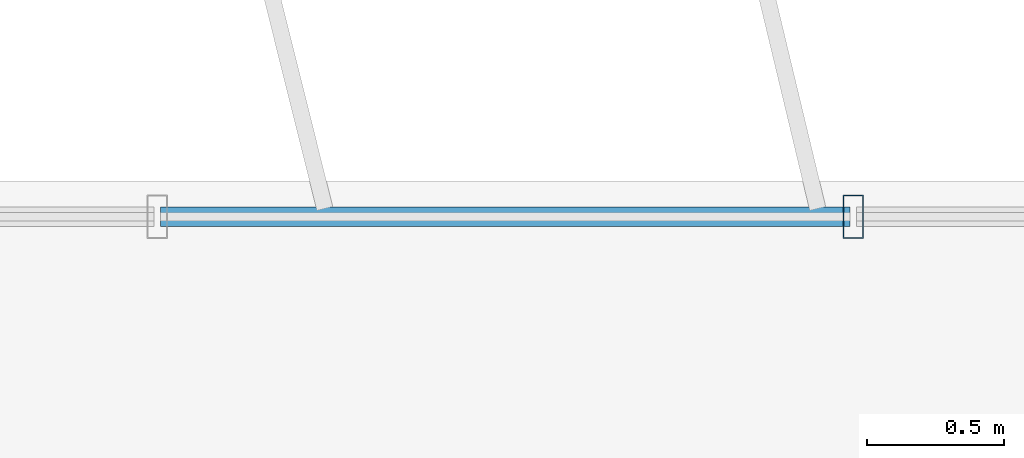
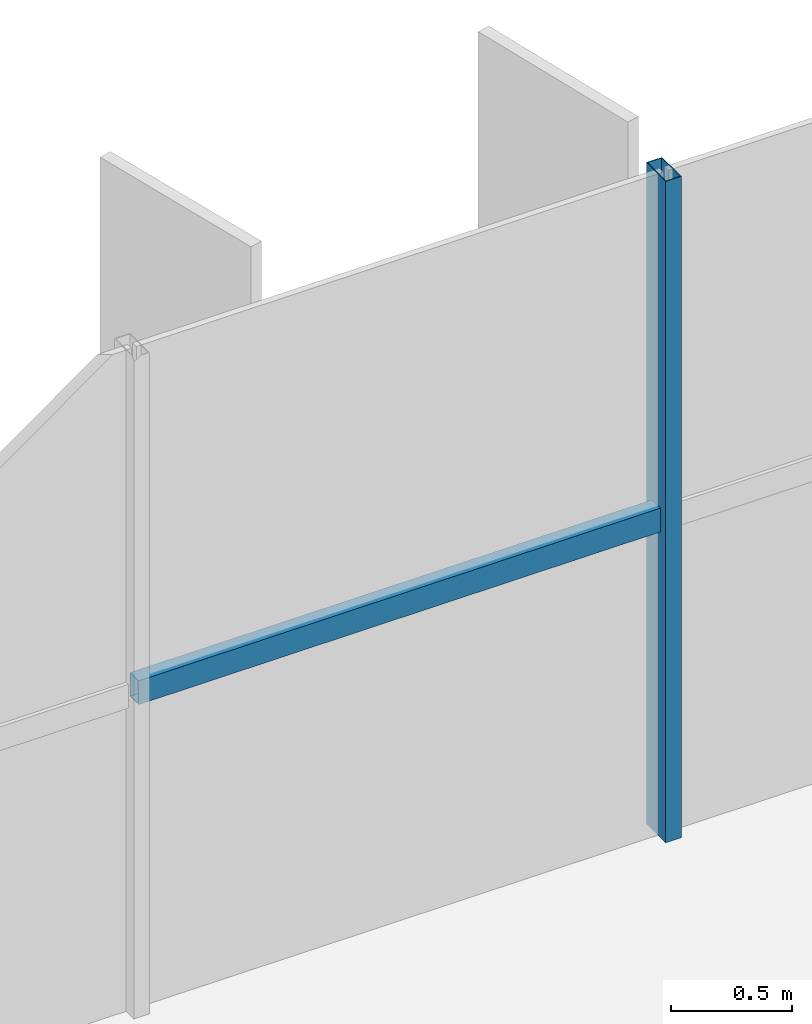
# One storey, part 8 of 22: 2 members, 1 element without a shape of its own.
"""IFC4 building model written with IfcOpenShell, lengths in metres."""

from ifc_helpers import new_model, si_unit, direction, frame, origin, origin_2d, place, context, subcontext, project, spatial, hollow_rectangle, extrude, source, transform, mapped, material, material_profile, profile_set, type_object, element, aggregate, save


model = new_model("IFC4")

# Units and contexts
model_context = context("Model", 3, precision=1e-05, world=origin(), true_north=direction((0.0, 1.0)))
body_context = subcontext(model_context, "Body", "Model", "MODEL_VIEW")
ifc_project = project(units=[si_unit("LENGTHUNIT", "METRE"), si_unit("AREAUNIT", "SQUARE_METRE"), si_unit("VOLUMEUNIT", "CUBIC_METRE"), si_unit("PLANEANGLEUNIT", "RADIAN"), si_unit("MASSUNIT", "GRAM", prefix="KILO")], contexts=[model_context])

# Site, building, storey
site_placement = place(None, origin())
site = spatial("IfcSite", under=ifc_project, at=site_placement, CompositionType="ELEMENT")
building_placement = place(site_placement, origin())
building = spatial("IfcBuilding", under=site, at=building_placement, Name="Trelvane Seafront Commons", CompositionType="ELEMENT")
storey_placement = place(building_placement, frame((0.0, 0.0, 55.89990234375)))
storey = spatial("IfcBuildingStorey", under=building, at=storey_placement, Name="L14", CompositionType="ELEMENT", Elevation=55.89990234375)

# Curtain wall, members
ifc_material = material(Name="Anodised pale-silver aluminium", Category="aluminium")
curtain_wall_type = type_object("IfcCurtainWallType", Name="ARCH-CW2-LOWTOWER", PredefinedType="NOTDEFINED", material=ifc_material)
curtain_wall_placement = place(storey_placement, origin())
curtain_wall = element("IfcCurtainWall", 1, at=curtain_wall_placement, inside=storey, type_object=curtain_wall_type, Name="CW-L14-0038", PredefinedType="NOTDEFINED")
ifc_material_profile_1 = material_profile(ifc_material, hollow_rectangle(XDim=0.074951171875, YDim=0.159912109375, WallThickness=0.00390625, at=origin_2d()), Name="MULL-75x160x4")
ifc_profile_set_1 = profile_set([ifc_material_profile_1], Name="Anodised pale-silver aluminium")
member_type_1 = type_object("IfcMemberType", Name="ARCH-CW-MULL-160", PredefinedType="MULLION", material=ifc_profile_set_1)
shared_shape_1 = source(origin(), body_context, "Body", "SweptSolid", [
    extrude(hollow_rectangle(XDim=0.074951171875, YDim=0.159912109375, WallThickness=0.00390625, at=origin_2d()), origin(), (0.0, 0.0, 1.0), 3.340087890625),
])
member_1_placement = place(storey_placement, frame((35.929443359375, 48.3701171875, 0.0), z_axis=(0.0, 0.0, 1.0), x_axis=(1.0, 0.0, 0.0)))
member_1 = element("IfcMember", 2, at=member_1_placement, type_object=member_type_1, Name="CW-L14-0038-M08", PredefinedType="MULLION", context=body_context, shape_type="MappedRepresentation", body=[
    mapped(shared_shape_1, transform((0.0, 0.0, 0.0), x_axis=(1.0, 0.0, 0.0), y_axis=(0.0, 1.0, 0.0), z_axis=(0.0, 0.0, 1.0), scale=1.0)),
])
ifc_material_profile_2 = material_profile(ifc_material, hollow_rectangle(XDim=0.070068359375, YDim=0.1201171875, WallThickness=0.00390625, at=origin_2d()), Name="TRAN-70x120x4")
ifc_profile_set_2 = profile_set([ifc_material_profile_2], Name="Anodised pale-silver aluminium")
member_type_2 = type_object("IfcMemberType", Name="ARCH-CW-TRAN-120", PredefinedType="USERDEFINED", material=ifc_profile_set_2)
shared_shape_2 = source(origin(), body_context, "Body", "SweptSolid", [
    extrude(hollow_rectangle(XDim=0.070068359375, YDim=0.1201171875, WallThickness=0.00390625, at=origin_2d()), origin(), (0.0, 0.0, 1.0), 2.517333984375),
])
member_2_placement = place(storey_placement, frame((33.400146484375, 48.3701171875, 1.60302734375), z_axis=(1.0, 0.0, 0.0), x_axis=(0.0, 1.0, 0.0)))
member_2 = element("IfcMember", 3, at=member_2_placement, type_object=member_type_2, Name="CW-L14-0038-T07", ObjectType="TRANSOM", PredefinedType="USERDEFINED", context=body_context, shape_type="MappedRepresentation", body=[
    mapped(shared_shape_2, transform((0.0, 0.0, 0.0), x_axis=(1.0, 0.0, 0.0), y_axis=(0.0, 1.0, 0.0), z_axis=(0.0, 0.0, 1.0), scale=1.0)),
])
aggregate(curtain_wall, [member_1, member_2])

save(model, "model.ifc")
